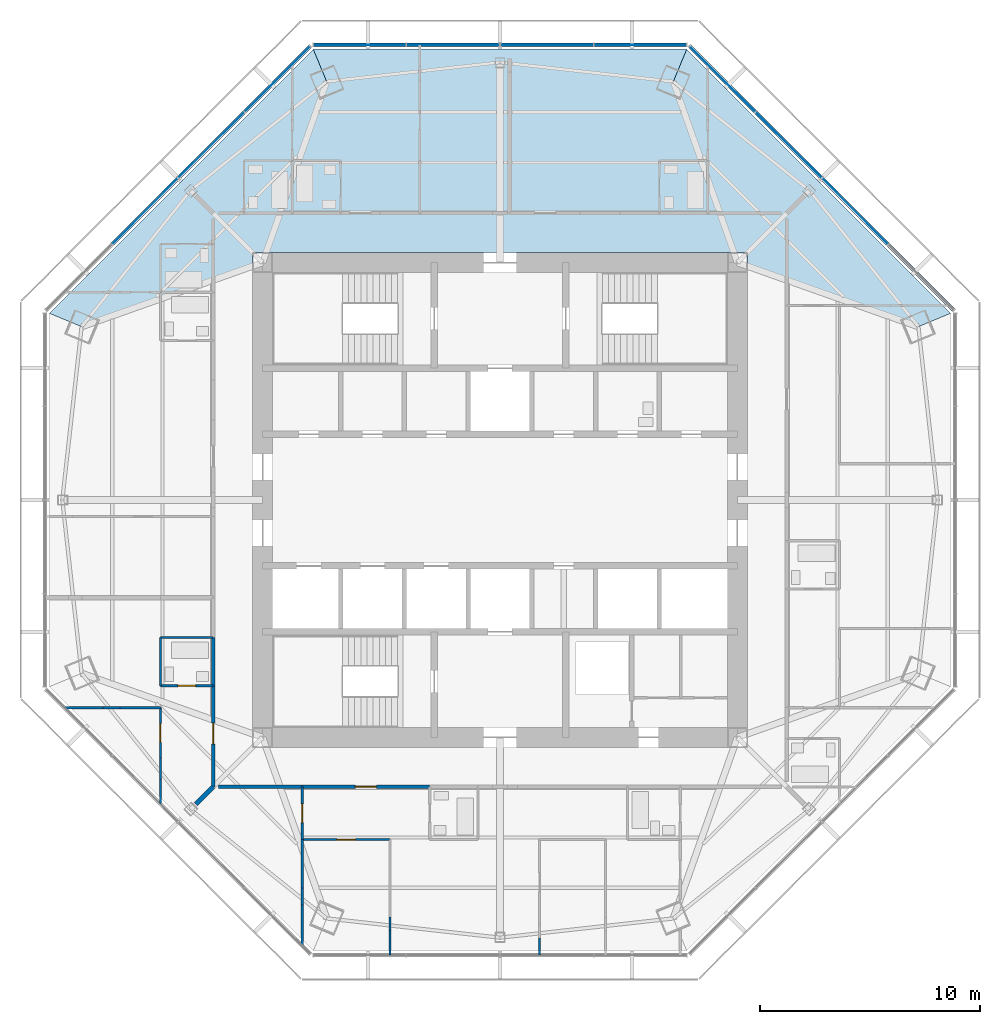
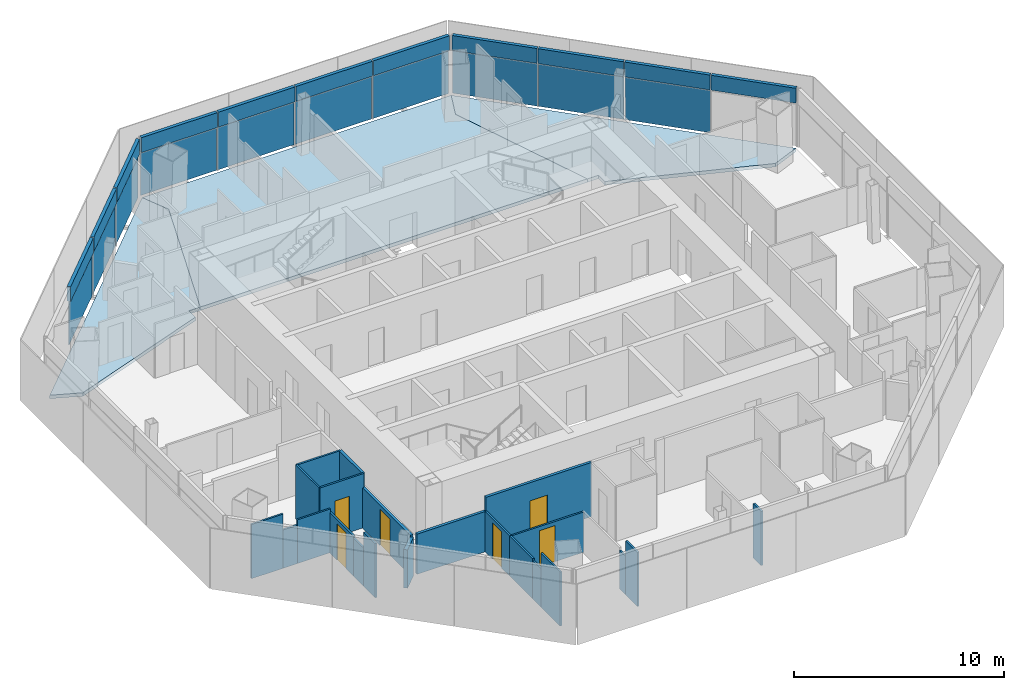
# One storey, part 8 of 15: 22 walls, 21 plates, 6 doors, 3 slabs, 6 openings, 3 elements without a shape of their own.
"""IFC4 building model written with IfcOpenShell, lengths in metres."""

from ifc_helpers import new_model, si_unit, direction, frame, frame_2d, origin, origin_2d, place, context, subcontext, project, spatial, polyline, rectangle, outline, extrude, source, transform, mapped, material, layer, layer_set, type_object, type_shapes, element, fill, aggregate, save


model = new_model("IFC4")

# Units and contexts
model_context = context("Model", 3, precision=1e-05, world=origin(), true_north=direction((0.0, 1.0)))
body_context = subcontext(model_context, "Body", "Model", "MODEL_VIEW")
ifc_project = project(units=[si_unit("LENGTHUNIT", "METRE"), si_unit("AREAUNIT", "SQUARE_METRE"), si_unit("VOLUMEUNIT", "CUBIC_METRE"), si_unit("PLANEANGLEUNIT", "RADIAN"), si_unit("MASSUNIT", "GRAM", prefix="KILO")], contexts=[model_context])

# Site, building, storey
site_placement = place(None, origin())
site = spatial("IfcSite", under=ifc_project, at=site_placement, CompositionType="ELEMENT")
building_placement = place(site_placement, origin())
building = spatial("IfcBuilding", under=site, at=building_placement, Name="Mashrafa Tower", CompositionType="ELEMENT")
storey_placement = place(building_placement, frame((0.0, 0.0, 258.39990234375)))
storey = spatial("IfcBuildingStorey", under=building, at=storey_placement, Name="L62", CompositionType="ELEMENT", Elevation=258.39990234375)

# Slabs
ifc_material_1 = material(Name="Concrete C35/45", Category="concrete")
ifc_layer_1 = layer(ifc_material_1, 0.199951171875)
ifc_layer_set_1 = layer_set([ifc_layer_1], Name="Floor slab 200")
slab_type = type_object("IfcSlabType", Name="Floor slab 200", PredefinedType="FLOOR", material=ifc_layer_set_1)
slab_1_placement = place(storey_placement, frame((0.0, 0.0, -0.199951171875)))
element("IfcSlab", 1, at=slab_1_placement, inside=storey, type_object=slab_type, Name="Floor slab L62 north-east bay", PredefinedType="FLOOR", context=body_context, shape_type="SweptSolid", body=[
    extrude(outline(polyline([(20.5048828125, 8.493408203125), (19.032470703125, 7.883544921875), (11.25, 10.640625), (11.25, 11.25), (10.640625, 11.25), (7.883544921875, 19.032470703125), (8.493408203125, 20.5048828125), (20.5048828125, 8.493408203125)])), origin(), (0.0, 0.0, 1.0), 0.199951171875),
])
slab_2_placement = place(storey_placement, frame((0.0, 0.0, -0.199951171875)))
element("IfcSlab", 2, at=slab_2_placement, inside=storey, type_object=slab_type, Name="Floor slab L62 north bay", PredefinedType="FLOOR", context=body_context, shape_type="SweptSolid", body=[
    extrude(outline(polyline([(-8.493408203125, 20.5048828125), (8.493408203125, 20.5048828125), (8.493408203125, 20.5048828125), (7.883544921875, 19.032470703125), (10.640625, 11.25), (-10.640625, 11.25), (-7.883544921875, 19.032470703125), (-8.493408203125, 20.5048828125), (-8.493408203125, 20.5048828125)])), origin(), (0.0, 0.0, 1.0), 0.199951171875),
])
slab_3_placement = place(storey_placement, frame((0.0, 0.0, -0.199951171875)))
element("IfcSlab", 3, at=slab_3_placement, inside=storey, type_object=slab_type, Name="Floor slab L62 north-west bay", PredefinedType="FLOOR", context=body_context, shape_type="SweptSolid", body=[
    extrude(outline(polyline([(-8.493408203125, 20.5048828125), (-7.883544921875, 19.032470703125), (-10.640625, 11.25), (-11.25, 11.25), (-11.25, 10.640625), (-19.032470703125, 7.883544921875), (-20.5048828125, 8.493408203125), (-8.493408203125, 20.5048828125)])), origin(), (0.0, 0.0, 1.0), 0.199951171875),
])

# Curtain wall, plate
ifc_material_2 = material(Name="Unitised aluminium curtain wall", Category="aluminium")
curtain_wall_type = type_object("IfcCurtainWallType", Name="Apartment curtain wall, zone 3 CW-C 180 deep", PredefinedType="NOTDEFINED", material=ifc_material_2)
curtain_wall_1_placement = place(storey_placement, origin())
curtain_wall_1 = element("IfcCurtainWall", 4, at=curtain_wall_1_placement, inside=storey, type_object=curtain_wall_type, Name="Apartment curtain wall, zone 3 L62 north-east", PredefinedType="NOTDEFINED")
ifc_material_3 = material(Name="Insulated double glazing, acoustic", Category="glass")
ifc_layer_2 = layer(ifc_material_3, 0.028076171875)
ifc_layer_set_2 = layer_set([ifc_layer_2], Name="Vision panel CW-C 28")
plate_type_1 = type_object("IfcPlateType", Name="Vision panel CW-C 28", PredefinedType="CURTAIN_PANEL", material=ifc_layer_set_2)
shared_shape_1 = source(origin(), body_context, "Body", "SweptSolid", [
    extrude(rectangle(XDim=4.174560546875, YDim=0.028076171875, at=origin_2d()), origin(), (0.0, 0.0, 1.0), 2.46240234375),
])
plate_1_placement = place(storey_placement, frame((10.1279296875, 19.153076171875, 0.000244140625), z_axis=(0.0, 0.0, 1.0), x_axis=(-0.707106781187, 0.707106781187, 0.0)))
plate_1 = element("IfcPlate", 5, at=plate_1_placement, type_object=plate_type_1, Name="CW-C vision panel 4", PredefinedType="CURTAIN_PANEL", context=body_context, shape_type="MappedRepresentation", body=[
    mapped(shared_shape_1, transform((0.0, 0.0, 0.0))),
])

# Curtain wall, plates
curtain_wall_2_placement = place(storey_placement, origin())
curtain_wall_2 = element("IfcCurtainWall", 6, at=curtain_wall_2_placement, inside=storey, type_object=curtain_wall_type, Name="Apartment curtain wall, zone 3 L62 north", PredefinedType="NOTDEFINED")
plate_2_placement = place(storey_placement, frame((6.3818359375, 20.704833984375, 0.000244140625), z_axis=(0.0, 0.0, 1.0), x_axis=(-1.0, 0.0, 0.0)))
plate_2 = element("IfcPlate", 7, at=plate_2_placement, type_object=plate_type_1, Name="CW-C vision panel 1", PredefinedType="CURTAIN_PANEL", context=body_context, shape_type="MappedRepresentation", body=[
    mapped(shared_shape_1, transform((0.0, 0.0, 0.0))),
])
plate_3_placement = place(storey_placement, frame((-6.3818359375, 20.704833984375, 0.000244140625), z_axis=(0.0, 0.0, 1.0), x_axis=(-1.0, 0.0, 0.0)))
plate_3 = element("IfcPlate", 8, at=plate_3_placement, type_object=plate_type_1, Name="CW-C vision panel 4", PredefinedType="CURTAIN_PANEL", context=body_context, shape_type="MappedRepresentation", body=[
    mapped(shared_shape_1, transform((0.0, 0.0, 0.0))),
])

# Curtain wall, plate
curtain_wall_3_placement = place(storey_placement, origin())
curtain_wall_3 = element("IfcCurtainWall", 9, at=curtain_wall_3_placement, inside=storey, type_object=curtain_wall_type, Name="Apartment curtain wall, zone 3 L62 north-west", PredefinedType="NOTDEFINED")
plate_4_placement = place(storey_placement, frame((-10.1279296875, 19.153076171875, 0.000244140625), z_axis=(0.0, 0.0, 1.0), x_axis=(-0.707106781187, -0.707106781187, 0.0)))
plate_4 = element("IfcPlate", 10, at=plate_4_placement, type_object=plate_type_1, Name="CW-C vision panel 1", PredefinedType="CURTAIN_PANEL", context=body_context, shape_type="MappedRepresentation", body=[
    mapped(shared_shape_1, transform((0.0, 0.0, 0.0))),
])

# Plate
ifc_material_4 = material(Name="Insulated bronze aluminium spandrel panel", Category="aluminium")
ifc_layer_3 = layer(ifc_material_4, 0.179931640625)
ifc_layer_set_3 = layer_set([ifc_layer_3], Name="Spandrel panel CW-C 180")
plate_type_2 = type_object("IfcPlateType", Name="Spandrel panel CW-C 180", PredefinedType="CURTAIN_PANEL", material=ifc_layer_set_3)
shared_shape_2 = source(origin(), body_context, "Body", "SweptSolid", [
    extrude(rectangle(XDim=4.174560546875, YDim=0.179931640625, at=origin_2d()), origin(), (0.0, 0.0, 1.0), 0.862548828125),
])
plate_5_placement = place(storey_placement, frame((19.153076171875, 10.1279296875, 2.53759765625), z_axis=(0.0, 0.0, 1.0), x_axis=(-0.707106781187, 0.707106781187, 0.0)))
plate_5 = element("IfcPlate", 11, at=plate_5_placement, type_object=plate_type_2, Name="CW-C spandrel panel 1", PredefinedType="CURTAIN_PANEL", context=body_context, shape_type="MappedRepresentation", body=[
    mapped(shared_shape_2, transform((0.0, 0.0, 0.0))),
])

plate_6_placement = place(storey_placement, frame((10.1279296875, 19.153076171875, 2.53759765625), z_axis=(0.0, 0.0, 1.0), x_axis=(-0.707106781187, 0.707106781187, 0.0)))
plate_6 = element("IfcPlate", 12, at=plate_6_placement, type_object=plate_type_2, Name="CW-C spandrel panel 4", PredefinedType="CURTAIN_PANEL", context=body_context, shape_type="MappedRepresentation", body=[
    mapped(shared_shape_2, transform((0.0, 0.0, 0.0))),
])

plate_7_placement = place(storey_placement, frame((6.3818359375, 20.704833984375, 2.53759765625), z_axis=(0.0, 0.0, 1.0), x_axis=(-1.0, 0.0, 0.0)))
plate_7 = element("IfcPlate", 13, at=plate_7_placement, type_object=plate_type_2, Name="CW-C spandrel panel 1", PredefinedType="CURTAIN_PANEL", context=body_context, shape_type="MappedRepresentation", body=[
    mapped(shared_shape_2, transform((0.0, 0.0, 0.0))),
])

plate_8_placement = place(storey_placement, frame((-6.3818359375, 20.704833984375, 2.53759765625), z_axis=(0.0, 0.0, 1.0), x_axis=(-1.0, 0.0, 0.0)))
plate_8 = element("IfcPlate", 14, at=plate_8_placement, type_object=plate_type_2, Name="CW-C spandrel panel 4", PredefinedType="CURTAIN_PANEL", context=body_context, shape_type="MappedRepresentation", body=[
    mapped(shared_shape_2, transform((0.0, 0.0, 0.0))),
])

plate_9_placement = place(storey_placement, frame((-10.1279296875, 19.153076171875, 2.53759765625), z_axis=(0.0, 0.0, 1.0), x_axis=(-0.707106781187, -0.707106781187, 0.0)))
plate_9 = element("IfcPlate", 15, at=plate_9_placement, type_object=plate_type_2, Name="CW-C spandrel panel 1", PredefinedType="CURTAIN_PANEL", context=body_context, shape_type="MappedRepresentation", body=[
    mapped(shared_shape_2, transform((0.0, 0.0, 0.0))),
])

shared_shape_3 = source(origin(), body_context, "Body", "SweptSolid", [
    extrude(rectangle(XDim=4.20458984375, YDim=0.028076171875, at=origin_2d()), origin(), (0.0, 0.0, 1.0), 2.46240234375),
])
type_shapes(plate_type_1, [shared_shape_1, shared_shape_3])
plate_10_placement = place(storey_placement, frame((16.1484375, 13.1328125, 0.000244140625), z_axis=(0.0, 0.0, 1.0), x_axis=(-0.707106781187, 0.707106781187, 0.0)))
plate_10 = element("IfcPlate", 16, at=plate_10_placement, type_object=plate_type_1, Name="CW-C vision panel 2", PredefinedType="CURTAIN_PANEL", context=body_context, shape_type="MappedRepresentation", body=[
    mapped(shared_shape_3, transform((0.0, 0.0, 0.0))),
])

plate_11_placement = place(storey_placement, frame((13.1328125, 16.1484375, 0.000244140625), z_axis=(0.0, 0.0, 1.0), x_axis=(-0.707106781187, 0.707106781187, 0.0)))
plate_11 = element("IfcPlate", 17, at=plate_11_placement, type_object=plate_type_1, Name="CW-C vision panel 3", PredefinedType="CURTAIN_PANEL", context=body_context, shape_type="MappedRepresentation", body=[
    mapped(shared_shape_3, transform((0.0, 0.0, 0.0))),
])

plate_12_placement = place(storey_placement, frame((2.13232421875, 20.704833984375, 0.000244140625), z_axis=(0.0, 0.0, 1.0), x_axis=(-1.0, 0.0, 0.0)))
plate_12 = element("IfcPlate", 18, at=plate_12_placement, type_object=plate_type_1, Name="CW-C vision panel 2", PredefinedType="CURTAIN_PANEL", context=body_context, shape_type="MappedRepresentation", body=[
    mapped(shared_shape_3, transform((0.0, 0.0, 0.0))),
])

plate_13_placement = place(storey_placement, frame((-2.13232421875, 20.704833984375, 0.000244140625), z_axis=(0.0, 0.0, 1.0), x_axis=(-1.0, 0.0, 0.0)))
plate_13 = element("IfcPlate", 19, at=plate_13_placement, type_object=plate_type_1, Name="CW-C vision panel 3", PredefinedType="CURTAIN_PANEL", context=body_context, shape_type="MappedRepresentation", body=[
    mapped(shared_shape_3, transform((0.0, 0.0, 0.0))),
])

plate_14_placement = place(storey_placement, frame((-13.1328125, 16.1484375, 0.000244140625), z_axis=(0.0, 0.0, 1.0), x_axis=(-0.707106781187, -0.707106781187, 0.0)))
plate_14 = element("IfcPlate", 20, at=plate_14_placement, type_object=plate_type_1, Name="CW-C vision panel 2", PredefinedType="CURTAIN_PANEL", context=body_context, shape_type="MappedRepresentation", body=[
    mapped(shared_shape_3, transform((0.0, 0.0, 0.0))),
])

plate_15_placement = place(storey_placement, frame((-16.1484375, 13.1328125, 0.000244140625), z_axis=(0.0, 0.0, 1.0), x_axis=(-0.707106781187, -0.707106781187, 0.0)))
plate_15 = element("IfcPlate", 21, at=plate_15_placement, type_object=plate_type_1, Name="CW-C vision panel 3", PredefinedType="CURTAIN_PANEL", context=body_context, shape_type="MappedRepresentation", body=[
    mapped(shared_shape_3, transform((0.0, 0.0, 0.0))),
])

shared_shape_4 = source(origin(), body_context, "Body", "SweptSolid", [
    extrude(rectangle(XDim=4.20458984375, YDim=0.179931640625, at=origin_2d()), origin(), (0.0, 0.0, 1.0), 0.862548828125),
])
type_shapes(plate_type_2, [shared_shape_2, shared_shape_4])
plate_16_placement = place(storey_placement, frame((16.1484375, 13.1328125, 2.53759765625), z_axis=(0.0, 0.0, 1.0), x_axis=(-0.707106781187, 0.707106781187, 0.0)))
plate_16 = element("IfcPlate", 22, at=plate_16_placement, type_object=plate_type_2, Name="CW-C spandrel panel 2", PredefinedType="CURTAIN_PANEL", context=body_context, shape_type="MappedRepresentation", body=[
    mapped(shared_shape_4, transform((0.0, 0.0, 0.0))),
])

plate_17_placement = place(storey_placement, frame((13.1328125, 16.1484375, 2.53759765625), z_axis=(0.0, 0.0, 1.0), x_axis=(-0.707106781187, 0.707106781187, 0.0)))
plate_17 = element("IfcPlate", 23, at=plate_17_placement, type_object=plate_type_2, Name="CW-C spandrel panel 3", PredefinedType="CURTAIN_PANEL", context=body_context, shape_type="MappedRepresentation", body=[
    mapped(shared_shape_4, transform((0.0, 0.0, 0.0))),
])

aggregate(curtain_wall_1, [plate_5, plate_10, plate_16, plate_11, plate_17, plate_1, plate_6])

plate_18_placement = place(storey_placement, frame((2.13232421875, 20.704833984375, 2.53759765625), z_axis=(0.0, 0.0, 1.0), x_axis=(-1.0, 0.0, 0.0)))
plate_18 = element("IfcPlate", 24, at=plate_18_placement, type_object=plate_type_2, Name="CW-C spandrel panel 2", PredefinedType="CURTAIN_PANEL", context=body_context, shape_type="MappedRepresentation", body=[
    mapped(shared_shape_4, transform((0.0, 0.0, 0.0))),
])

plate_19_placement = place(storey_placement, frame((-2.13232421875, 20.704833984375, 2.53759765625), z_axis=(0.0, 0.0, 1.0), x_axis=(-1.0, 0.0, 0.0)))
plate_19 = element("IfcPlate", 25, at=plate_19_placement, type_object=plate_type_2, Name="CW-C spandrel panel 3", PredefinedType="CURTAIN_PANEL", context=body_context, shape_type="MappedRepresentation", body=[
    mapped(shared_shape_4, transform((0.0, 0.0, 0.0))),
])

aggregate(curtain_wall_2, [plate_2, plate_7, plate_12, plate_18, plate_13, plate_19, plate_3, plate_8])

plate_20_placement = place(storey_placement, frame((-13.1328125, 16.1484375, 2.53759765625), z_axis=(0.0, 0.0, 1.0), x_axis=(-0.707106781187, -0.707106781187, 0.0)))
plate_20 = element("IfcPlate", 26, at=plate_20_placement, type_object=plate_type_2, Name="CW-C spandrel panel 2", PredefinedType="CURTAIN_PANEL", context=body_context, shape_type="MappedRepresentation", body=[
    mapped(shared_shape_4, transform((0.0, 0.0, 0.0))),
])

plate_21_placement = place(storey_placement, frame((-16.1484375, 13.1328125, 2.53759765625), z_axis=(0.0, 0.0, 1.0), x_axis=(-0.707106781187, -0.707106781187, 0.0)))
plate_21 = element("IfcPlate", 27, at=plate_21_placement, type_object=plate_type_2, Name="CW-C spandrel panel 3", PredefinedType="CURTAIN_PANEL", context=body_context, shape_type="MappedRepresentation", body=[
    mapped(shared_shape_4, transform((0.0, 0.0, 0.0))),
])

aggregate(curtain_wall_3, [plate_4, plate_9, plate_14, plate_20, plate_15, plate_21])

# Walls
ifc_material_5 = material(Name="Gypsum board on steel studs", Category="steel")
ifc_layer_4 = layer(ifc_material_5, 0.199951171875)
ifc_layer_set_4 = layer_set([ifc_layer_4], Name="Acoustic partition 200 1 hr")
wall_type_1 = type_object("IfcWallType", Name="Acoustic partition 200 1 hr", PredefinedType="PARTITIONING", material=ifc_layer_set_4)
wall_1_placement = place(storey_placement, frame((-13.834228515625, -13.834228515625, 0.0), z_axis=(0.0, 0.0, 1.0), x_axis=(0.707106781187, 0.707106781187, 0.0)))
element("IfcWall", 28, at=wall_1_placement, inside=storey, type_object=wall_type_1, Name="Acoustic wall L62-115", PredefinedType="PARTITIONING", context=body_context, shape_type="SweptSolid", body=[
    extrude(rectangle(XDim=1.10888671875, YDim=0.199951171875, at=frame_2d((0.554443359375, 0.0))), origin(), (0.0, 0.0, 1.0), 2.22998046875),
])
ifc_material_6 = material(Name="Gypsum board on steel studs", Category="steel")
ifc_layer_5 = layer(ifc_material_6, 0.14990234375)
ifc_layer_set_5 = layer_set([ifc_layer_5], Name="Corridor partition 150 1 hr")
wall_type_2 = type_object("IfcWallType", Name="Corridor partition 150 1 hr", PredefinedType="PARTITIONING", material=ifc_layer_set_5)
wall_2_placement = place(storey_placement, frame((-13.050048828125, -6.2490234375, 0.0), z_axis=(0.0, 0.0, 1.0), x_axis=(0.0, -1.0, 0.0)))
element("IfcWall", 29, at=wall_2_placement, inside=storey, type_object=wall_type_2, Name="Corridor wall L62-031", PredefinedType="PARTITIONING", context=body_context, shape_type="SweptSolid", body=[
    extrude(rectangle(XDim=2.201904296875, YDim=0.14990234375, at=frame_2d((1.10107421875, 0.0))), origin(), (0.0, 0.0, 1.0), 3.150146484375),
])

# Wall, opening, door
wall_3_placement = place(storey_placement, frame((-13.050048828125, -8.448974609375, 0.0), z_axis=(0.0, 0.0, 1.0), x_axis=(0.0, -1.0, 0.0)))
wall_3 = element("IfcWall", 30, at=wall_3_placement, inside=storey, type_object=wall_type_2, Name="Corridor wall L62-033", PredefinedType="PARTITIONING", context=body_context, shape_type="SweptSolid", body=[
    extrude(rectangle(XDim=4.59912109375, YDim=0.14990234375, at=frame_2d((2.299560546875, 0.0))), origin(), (0.0, 0.0, 1.0), 2.340087890625),
])
opening_1_placement = place(wall_3_placement, frame((1.700927734375, 0.0, 0.0)))
opening_1 = element("IfcOpeningElement", 31, at=opening_1_placement, cuts=wall_3, Name="Opening 62.023", PredefinedType="OPENING", context=body_context, shape_type="SweptSolid", body=[
    extrude(rectangle(XDim=0.949951171875, YDim=2.10009765625, at=frame_2d((0.47509765625, 1.050048828125))), frame((0.0, 0.0849609375, 0.0), z_axis=(0.0, -1.0, 0.0), x_axis=(1.0, 0.0, 0.0)), (0.0, 0.0, 1.0), 0.169921875),
])
ifc_material_7 = material(Name="Steel door", Category="steel")
door_type_1 = type_object("IfcDoorType", Name="Residence entrance door 950 x 2100 20 min", OperationType="USERDEFINED", PredefinedType="DOOR", material=ifc_material_7)
door_1_placement = place(opening_1_placement, frame((0.949951171875, 0.0, 0.0), z_axis=(0.0, 0.0, 1.0), x_axis=(-1.0, 0.0, 0.0)))
door_1 = element("IfcDoor", 32, at=door_1_placement, inside=storey, type_object=door_type_1, Name="Apartment 6205 Living Room door", OperationType="SINGLE_SWING_RIGHT", OverallHeight=2.10009765625, OverallWidth=0.949951171875, PredefinedType="DOOR", context=body_context, shape_type="SweptSolid", body=[
    extrude(rectangle(XDim=0.949951171875, YDim=2.10009765625, at=frame_2d((0.47509765625, 1.050048828125))), frame((0.0, 0.02490234375, 0.0), z_axis=(0.0, -1.0, 0.0), x_axis=(1.0, 0.0, 0.0)), (0.0, 0.0, 1.0), 0.050048828125),
])
fill(opening_1, door_1)

# Wall
wall_4_placement = place(storey_placement, frame((-12.801025390625, -13.050048828125, 0.0), z_axis=(0.0, 0.0, 1.0), x_axis=(1.0, 0.0, 0.0)))
element("IfcWall", 33, at=wall_4_placement, inside=storey, type_object=wall_type_2, Name="Corridor wall L62-034", PredefinedType="PARTITIONING", context=body_context, shape_type="SweptSolid", body=[
    extrude(rectangle(XDim=3.802001953125, YDim=0.14990234375, at=frame_2d((1.90087890625, 0.0))), origin(), (0.0, 0.0, 1.0), 2.340087890625),
])

# Wall, opening, door
wall_5_placement = place(storey_placement, frame((-9.0009765625, -13.050048828125, 0.0), z_axis=(0.0, 0.0, 1.0), x_axis=(1.0, 0.0, 0.0)))
wall_5 = element("IfcWall", 34, at=wall_5_placement, inside=storey, type_object=wall_type_2, Name="Corridor wall L62-041", PredefinedType="PARTITIONING", context=body_context, shape_type="SweptSolid", body=[
    extrude(rectangle(XDim=5.802001953125, YDim=0.14990234375, at=frame_2d((2.90087890625, 0.0))), origin(), (0.0, 0.0, 1.0), 3.150146484375),
])
opening_2_placement = place(wall_5_placement, frame((2.426025390625, 0.0, 0.0)))
opening_2 = element("IfcOpeningElement", 35, at=opening_2_placement, cuts=wall_5, Name="Opening 62.029", PredefinedType="OPENING", context=body_context, shape_type="SweptSolid", body=[
    extrude(rectangle(XDim=0.949951171875, YDim=2.10009765625, at=frame_2d((0.47509765625, 1.050048828125))), frame((0.0, 0.0849609375, 0.0), z_axis=(0.0, -1.0, 0.0), x_axis=(1.0, 0.0, 0.0)), (0.0, 0.0, 1.0), 0.169921875),
])
door_2_placement = place(opening_2_placement, frame((0.949951171875, 0.0, 0.0), z_axis=(0.0, 0.0, 1.0), x_axis=(-1.0, 0.0, 0.0)))
door_2 = element("IfcDoor", 36, at=door_2_placement, inside=storey, type_object=door_type_1, Name="Apartment 6206 Living Room door", OperationType="SINGLE_SWING_RIGHT", OverallHeight=2.10009765625, OverallWidth=0.949951171875, PredefinedType="DOOR", context=body_context, shape_type="SweptSolid", body=[
    extrude(rectangle(XDim=0.949951171875, YDim=2.10009765625, at=frame_2d((0.47509765625, 1.050048828125))), frame((0.0, 0.02490234375, 0.0), z_axis=(0.0, -1.0, 0.0), x_axis=(1.0, 0.0, 0.0)), (0.0, 0.0, 1.0), 0.050048828125),
])
fill(opening_2, door_2)

# Wall
ifc_material_8 = material(Name="Gypsum board on steel studs", Category="steel")
ifc_layer_6 = layer(ifc_material_8, 0.10009765625)
ifc_layer_set_6 = layer_set([ifc_layer_6], Name="Partition 100")
wall_type_3 = type_object("IfcWallType", Name="Partition 100", PredefinedType="PARTITIONING", material=ifc_layer_set_6)
wall_6_placement = place(storey_placement, frame((-15.449951171875, -13.807373046875, 0.0), z_axis=(0.0, 0.0, 1.0), x_axis=(0.0, 1.0, 0.0)))
element("IfcWall", 37, at=wall_6_placement, inside=storey, type_object=wall_type_3, Name="Partition wall L62-106", PredefinedType="PARTITIONING", context=body_context, shape_type="SweptSolid", body=[
    extrude(rectangle(XDim=1.0869140625, YDim=0.10009765625, at=frame_2d((0.54345703125, 0.0))), origin(), (0.0, 0.0, 1.0), 3.150146484375),
])

# Wall, opening, door
wall_7_placement = place(storey_placement, frame((-15.449951171875, -11.7431640625, 0.0), z_axis=(0.0, 0.0, 1.0), x_axis=(0.0, 1.0, 0.0)))
wall_7 = element("IfcWall", 38, at=wall_7_placement, inside=storey, type_object=wall_type_3, Name="Partition wall L62-107", PredefinedType="PARTITIONING", context=body_context, shape_type="SweptSolid", body=[
    extrude(rectangle(XDim=2.293212890625, YDim=0.10009765625, at=frame_2d((1.146484375, 0.0))), origin(), (0.0, 0.0, 1.0), 2.340087890625),
])
opening_3_placement = place(wall_7_placement, frame((0.721435546875, 0.0, 0.0)))
opening_3 = element("IfcOpeningElement", 39, at=opening_3_placement, cuts=wall_7, Name="Opening 62.021", PredefinedType="OPENING", context=body_context, shape_type="SweptSolid", body=[
    extrude(rectangle(XDim=0.85009765625, YDim=2.10009765625, at=frame_2d((0.425048828125, 1.050048828125))), frame((0.0, 0.06005859375, 0.0), z_axis=(0.0, -1.0, 0.0), x_axis=(1.0, 0.0, 0.0)), (0.0, 0.0, 1.0), 0.1201171875),
])
ifc_material_9 = material(Name="Timber door", Category="wood")
door_type_2 = type_object("IfcDoorType", Name="Bedroom door 850 x 2100", OperationType="USERDEFINED", PredefinedType="DOOR", material=ifc_material_9)
door_3_placement = place(opening_3_placement, origin())
door_3 = element("IfcDoor", 40, at=door_3_placement, inside=storey, type_object=door_type_2, Name="Apartment 6205 Bedroom 1 door", OperationType="SINGLE_SWING_RIGHT", OverallHeight=2.10009765625, OverallWidth=0.85009765625, PredefinedType="DOOR", context=body_context, shape_type="SweptSolid", body=[
    extrude(rectangle(XDim=0.85009765625, YDim=2.10009765625, at=frame_2d((0.425048828125, 1.050048828125))), frame((0.0, 0.02490234375, 0.0), z_axis=(0.0, -1.0, 0.0), x_axis=(1.0, 0.0, 0.0)), (0.0, 0.0, 1.0), 0.050048828125),
])
fill(opening_3, door_3)

# Walls
wall_8_placement = place(storey_placement, frame((-15.449951171875, -12.720458984375, 0.0), z_axis=(0.0, 0.0, 1.0), x_axis=(0.0, 1.0, 0.0)))
element("IfcWall", 41, at=wall_8_placement, inside=storey, type_object=wall_type_3, Name="Partition wall L62-108", PredefinedType="PARTITIONING", context=body_context, shape_type="SweptSolid", body=[
    extrude(rectangle(XDim=0.977294921875, YDim=0.10009765625, at=frame_2d((0.48876953125, 0.0))), origin(), (0.0, 0.0, 1.0), 2.22998046875),
])
wall_9_placement = place(storey_placement, frame((-15.449951171875, -9.449951171875, 0.0), z_axis=(0.0, 0.0, 1.0), x_axis=(-1.0, 0.0, 0.0)))
element("IfcWall", 42, at=wall_9_placement, inside=storey, type_object=wall_type_3, Name="Partition wall L62-109", PredefinedType="PARTITIONING", context=body_context, shape_type="SweptSolid", body=[
    extrude(rectangle(XDim=1.83154296875, YDim=0.10009765625, at=frame_2d((0.915771484375, 0.0))), origin(), (0.0, 0.0, 1.0), 2.5380859375),
])
wall_10_placement = place(storey_placement, frame((-18.062255859375, -9.449951171875, 0.0), z_axis=(0.0, 0.0, 1.0), x_axis=(-1.0, 0.0, 0.0)))
element("IfcWall", 43, at=wall_10_placement, inside=storey, type_object=wall_type_3, Name="Partition wall L62-110", PredefinedType="PARTITIONING", context=body_context, shape_type="SweptSolid", body=[
    extrude(rectangle(XDim=1.7451171875, YDim=0.10009765625, at=frame_2d((0.87255859375, 0.0))), origin(), (0.0, 0.0, 1.0), 3.150146484375),
])
wall_11_placement = place(storey_placement, frame((-17.281494140625, -9.449951171875, 0.0), z_axis=(0.0, 0.0, 1.0), x_axis=(-1.0, 0.0, 0.0)))
element("IfcWall", 44, at=wall_11_placement, inside=storey, type_object=wall_type_3, Name="Partition wall L62-111", PredefinedType="PARTITIONING", context=body_context, shape_type="SweptSolid", body=[
    extrude(rectangle(XDim=0.78076171875, YDim=0.10009765625, at=frame_2d((0.390380859375, 0.0))), origin(), (0.0, 0.0, 1.0), 2.22998046875),
])
wall_12_placement = place(storey_placement, frame((-13.050048828125, -6.25, 0.0), z_axis=(0.0, 0.0, 1.0), x_axis=(-1.0, 0.0, 0.0)))
element("IfcWall", 45, at=wall_12_placement, inside=storey, type_object=wall_type_3, Name="Partition wall L62-112", PredefinedType="PARTITIONING", context=body_context, shape_type="SweptSolid", body=[
    extrude(rectangle(XDim=2.39990234375, YDim=0.10009765625, at=frame_2d((1.199951171875, 0.0))), origin(), (0.0, 0.0, 1.0), 3.150146484375),
])
wall_13_placement = place(storey_placement, frame((-15.449951171875, -6.25, 0.0), z_axis=(0.0, 0.0, 1.0), x_axis=(0.0, -1.0, 0.0)))
element("IfcWall", 46, at=wall_13_placement, inside=storey, type_object=wall_type_3, Name="Partition wall L62-113", PredefinedType="PARTITIONING", context=body_context, shape_type="SweptSolid", body=[
    extrude(rectangle(XDim=2.199951171875, YDim=0.10009765625, at=frame_2d((1.10009765625, 0.0))), origin(), (0.0, 0.0, 1.0), 3.150146484375),
])

# Wall, opening, door
wall_14_placement = place(storey_placement, frame((-15.449951171875, -8.449951171875, 0.0), z_axis=(0.0, 0.0, 1.0), x_axis=(1.0, 0.0, 0.0)))
wall_14 = element("IfcWall", 47, at=wall_14_placement, inside=storey, type_object=wall_type_3, Name="Partition wall L62-114", PredefinedType="PARTITIONING", context=body_context, shape_type="SweptSolid", body=[
    extrude(rectangle(XDim=2.39990234375, YDim=0.10009765625, at=frame_2d((1.199951171875, 0.0))), origin(), (0.0, 0.0, 1.0), 3.150146484375),
])
opening_4_placement = place(wall_14_placement, frame((0.800048828125, 0.0, 0.0)))
opening_4 = element("IfcOpeningElement", 48, at=opening_4_placement, cuts=wall_14, Name="Opening 62.022", PredefinedType="OPENING", context=body_context, shape_type="SweptSolid", body=[
    extrude(rectangle(XDim=0.800048828125, YDim=2.10009765625, at=frame_2d((0.39990234375, 1.050048828125))), frame((0.0, 0.06005859375, 0.0), z_axis=(0.0, -1.0, 0.0), x_axis=(1.0, 0.0, 0.0)), (0.0, 0.0, 1.0), 0.1201171875),
])
ifc_material_10 = material(Name="Timber door", Category="wood")
door_type_3 = type_object("IfcDoorType", Name="Bathroom door 800 x 2100", OperationType="USERDEFINED", PredefinedType="DOOR", material=ifc_material_10)
door_4_placement = place(opening_4_placement, origin())
door_4 = element("IfcDoor", 49, at=door_4_placement, inside=storey, type_object=door_type_3, Name="Apartment 6205 Bathroom door", OperationType="SINGLE_SWING_RIGHT", OverallHeight=2.10009765625, OverallWidth=0.800048828125, PredefinedType="DOOR", context=body_context, shape_type="SweptSolid", body=[
    extrude(rectangle(XDim=0.800048828125, YDim=2.10009765625, at=frame_2d((0.39990234375, 1.050048828125))), frame((0.0, 0.02490234375, 0.0), z_axis=(0.0, -1.0, 0.0), x_axis=(1.0, 0.0, 0.0)), (0.0, 0.0, 1.0), 0.050048828125),
])
fill(opening_4, door_4)

# Walls
wall_15_placement = place(storey_placement, frame((-9.0, -20.25732421875, 0.0), z_axis=(0.0, 0.0, 1.0), x_axis=(0.0, 1.0, 0.0)))
element("IfcWall", 50, at=wall_15_placement, inside=storey, type_object=wall_type_3, Name="Partition wall L62-116", PredefinedType="PARTITIONING", context=body_context, shape_type="SweptSolid", body=[
    extrude(rectangle(XDim=1.835693359375, YDim=0.10009765625, at=frame_2d((0.91796875, 0.0))), origin(), (0.0, 0.0, 1.0), 3.150146484375),
])
wall_16_placement = place(storey_placement, frame((-9.0, -17.64111328125, 0.0), z_axis=(0.0, 0.0, 1.0), x_axis=(0.0, 1.0, 0.0)))
element("IfcWall", 51, at=wall_16_placement, inside=storey, type_object=wall_type_3, Name="Partition wall L62-117", PredefinedType="PARTITIONING", context=body_context, shape_type="SweptSolid", body=[
    extrude(rectangle(XDim=2.192138671875, YDim=0.10009765625, at=frame_2d((1.09619140625, 0.0))), origin(), (0.0, 0.0, 1.0), 2.340087890625),
])
wall_17_placement = place(storey_placement, frame((-9.0, -18.421630859375, 0.0), z_axis=(0.0, 0.0, 1.0), x_axis=(0.0, 1.0, 0.0)))
element("IfcWall", 52, at=wall_17_placement, inside=storey, type_object=wall_type_3, Name="Partition wall L62-118", PredefinedType="PARTITIONING", context=body_context, shape_type="SweptSolid", body=[
    extrude(rectangle(XDim=0.780517578125, YDim=0.10009765625, at=frame_2d((0.39013671875, 0.0))), origin(), (0.0, 0.0, 1.0), 2.22998046875),
])

# Wall, opening, door
wall_18_placement = place(storey_placement, frame((-9.0, -15.450927734375, 0.0), z_axis=(0.0, 0.0, 1.0), x_axis=(0.0, 1.0, 0.0)))
wall_18 = element("IfcWall", 53, at=wall_18_placement, inside=storey, type_object=wall_type_3, Name="Partition wall L62-119", PredefinedType="PARTITIONING", context=body_context, shape_type="SweptSolid", body=[
    extrude(rectangle(XDim=2.40087890625, YDim=0.10009765625, at=frame_2d((1.200439453125, 0.0))), origin(), (0.0, 0.0, 1.0), 2.340087890625),
])
opening_5_placement = place(wall_18_placement, frame((0.775390625, 0.0, 0.0)))
opening_5 = element("IfcOpeningElement", 54, at=opening_5_placement, cuts=wall_18, Name="Opening 62.024", PredefinedType="OPENING", context=body_context, shape_type="SweptSolid", body=[
    extrude(rectangle(XDim=0.85009765625, YDim=2.10009765625, at=frame_2d((0.425048828125, 1.050048828125))), frame((0.0, 0.06005859375, 0.0), z_axis=(0.0, -1.0, 0.0), x_axis=(1.0, 0.0, 0.0)), (0.0, 0.0, 1.0), 0.1201171875),
])
door_5_placement = place(opening_5_placement, origin())
door_5 = element("IfcDoor", 55, at=door_5_placement, inside=storey, type_object=door_type_2, Name="Apartment 6206 Bedroom 1 door", OperationType="SINGLE_SWING_RIGHT", OverallHeight=2.10009765625, OverallWidth=0.85009765625, PredefinedType="DOOR", context=body_context, shape_type="SweptSolid", body=[
    extrude(rectangle(XDim=0.85009765625, YDim=2.10009765625, at=frame_2d((0.425048828125, 1.050048828125))), frame((0.0, 0.02490234375, 0.0), z_axis=(0.0, -1.0, 0.0), x_axis=(1.0, 0.0, 0.0)), (0.0, 0.0, 1.0), 0.050048828125),
])
fill(opening_5, door_5)

# Walls
wall_19_placement = place(storey_placement, frame((-5.0, -20.68701171875, 0.0), z_axis=(0.0, 0.0, 1.0), x_axis=(0.0, 1.0, 0.0)))
element("IfcWall", 56, at=wall_19_placement, inside=storey, type_object=wall_type_3, Name="Partition wall L62-120", PredefinedType="PARTITIONING", context=body_context, shape_type="SweptSolid", body=[
    extrude(rectangle(XDim=1.11083984375, YDim=0.10009765625, at=frame_2d((0.555419921875, 0.0))), origin(), (0.0, 0.0, 1.0), 3.150146484375),
])
wall_20_placement = place(storey_placement, frame((-5.0, -19.576171875, 0.0), z_axis=(0.0, 0.0, 1.0), x_axis=(0.0, 1.0, 0.0)))
element("IfcWall", 57, at=wall_20_placement, inside=storey, type_object=wall_type_3, Name="Partition wall L62-122", PredefinedType="PARTITIONING", context=body_context, shape_type="SweptSolid", body=[
    extrude(rectangle(XDim=0.61376953125, YDim=0.10009765625, at=frame_2d((0.306884765625, 0.0))), origin(), (0.0, 0.0, 1.0), 2.22998046875),
])

# Wall, opening, door
wall_21_placement = place(storey_placement, frame((-5.0, -15.449951171875, 0.0), z_axis=(0.0, 0.0, 1.0), x_axis=(-1.0, 0.0, 0.0)))
wall_21 = element("IfcWall", 58, at=wall_21_placement, inside=storey, type_object=wall_type_3, Name="Partition wall L62-123", PredefinedType="PARTITIONING", context=body_context, shape_type="SweptSolid", body=[
    extrude(rectangle(XDim=4.0, YDim=0.10009765625, at=frame_2d((2.0, 0.0))), origin(), (0.0, 0.0, 1.0), 2.340087890625),
])
opening_6_placement = place(wall_21_placement, frame((1.574951171875, 0.0, 0.0)))
opening_6 = element("IfcOpeningElement", 59, at=opening_6_placement, cuts=wall_21, Name="Opening 62.025", PredefinedType="OPENING", context=body_context, shape_type="SweptSolid", body=[
    extrude(rectangle(XDim=0.85009765625, YDim=2.10009765625, at=frame_2d((0.425048828125, 1.050048828125))), frame((0.0, 0.06005859375, 0.0), z_axis=(0.0, -1.0, 0.0), x_axis=(1.0, 0.0, 0.0)), (0.0, 0.0, 1.0), 0.1201171875),
])
door_6_placement = place(opening_6_placement, origin())
door_6 = element("IfcDoor", 60, at=door_6_placement, inside=storey, type_object=door_type_2, Name="Apartment 6206 Bedroom 2 door", OperationType="SINGLE_SWING_RIGHT", OverallHeight=2.10009765625, OverallWidth=0.85009765625, PredefinedType="DOOR", context=body_context, shape_type="SweptSolid", body=[
    extrude(rectangle(XDim=0.85009765625, YDim=2.10009765625, at=frame_2d((0.425048828125, 1.050048828125))), frame((0.0, 0.02490234375, 0.0), z_axis=(0.0, -1.0, 0.0), x_axis=(1.0, 0.0, 0.0)), (0.0, 0.0, 1.0), 0.050048828125),
])
fill(opening_6, door_6)

# Wall
wall_22_placement = place(storey_placement, frame((1.800048828125, -20.68701171875, 0.0), z_axis=(0.0, 0.0, 1.0), x_axis=(0.0, 1.0, 0.0)))
element("IfcWall", 61, at=wall_22_placement, inside=storey, type_object=wall_type_3, Name="Partition wall L62-132", PredefinedType="PARTITIONING", context=body_context, shape_type="SweptSolid", body=[
    extrude(rectangle(XDim=0.7529296875, YDim=0.10009765625, at=frame_2d((0.37646484375, 0.0))), origin(), (0.0, 0.0, 1.0), 3.150146484375),
])

save(model, "model.ifc")
